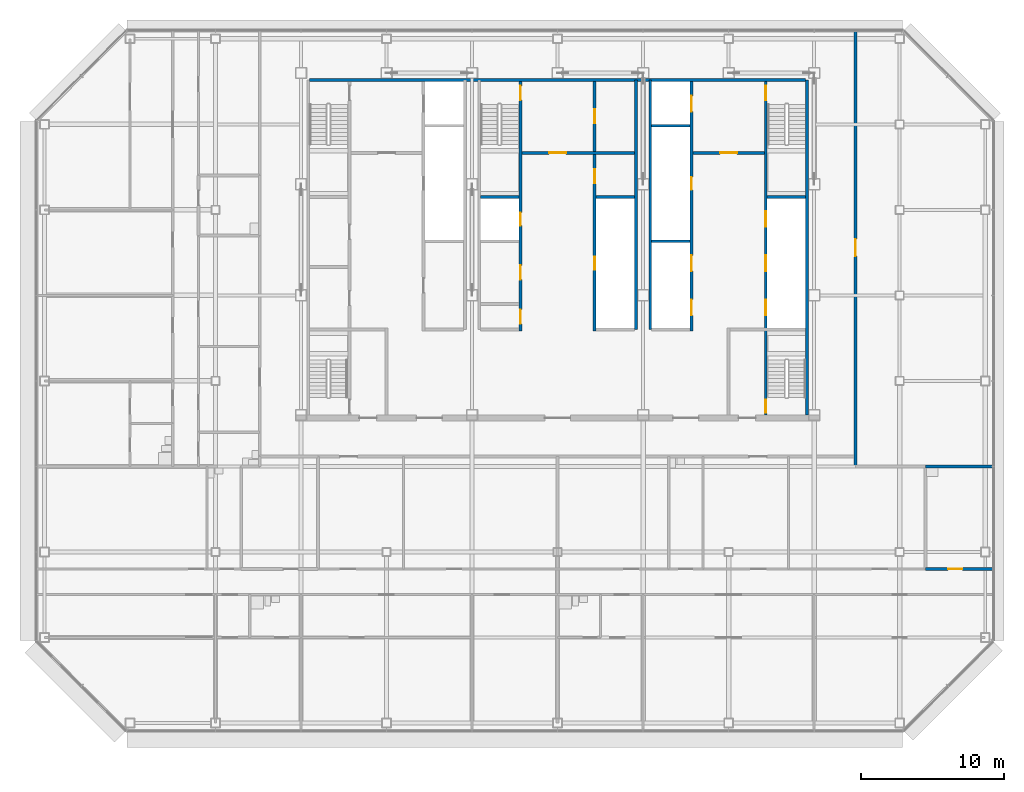
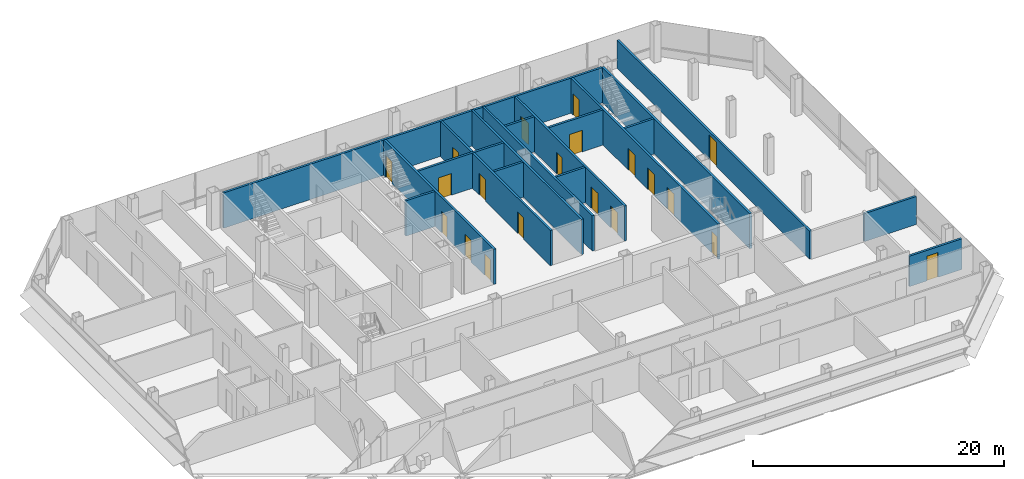
# One storey, part 23 of 26: 20 doors, 18 walls, 20 openings.
"""IFC4 building model written with IfcOpenShell, lengths in metres."""

from ifc_helpers import new_model, si_unit, direction, frame, frame_2d, origin, place, context, subcontext, project, spatial, rectangle, extrude, material, layer, layer_set, type_object, element, fill, save


model = new_model("IFC4")

# Units and contexts
model_context = context("Model", 3, precision=1e-05, world=origin(), true_north=direction((0.0, 1.0)))
body_context = subcontext(model_context, "Body", "Model", "MODEL_VIEW")
ifc_project = project(units=[si_unit("LENGTHUNIT", "METRE"), si_unit("AREAUNIT", "SQUARE_METRE"), si_unit("VOLUMEUNIT", "CUBIC_METRE"), si_unit("PLANEANGLEUNIT", "RADIAN"), si_unit("MASSUNIT", "GRAM", prefix="KILO")], contexts=[model_context])

# Site, building, storey
site_placement = place(None, origin())
site = spatial("IfcSite", under=ifc_project, at=site_placement, CompositionType="ELEMENT")
building_placement = place(site_placement, origin())
building = spatial("IfcBuilding", under=site, at=building_placement, Name="Sorahane Residences", CompositionType="ELEMENT")
storey_placement = place(building_placement, frame((0.0, 0.0, 219.0)))
storey = spatial("IfcBuildingStorey", under=building, at=storey_placement, Name="L51", CompositionType="ELEMENT", Elevation=219.0)

# Walls
ifc_material_1 = material(Name="Concrete C30", Category="concrete")
ifc_layer_1 = layer(ifc_material_1, 0.199951171875)
ifc_layer_set_1 = layer_set([ifc_layer_1], Name="Core face wall 200 EI 180")
wall_type_1 = type_object("IfcWallType", Name="Core face wall 200 EI 180", PredefinedType="SOLIDWALL", material=ifc_layer_set_1)
wall_1_placement = place(storey_placement, frame((41.5, 21.60009765625, 0.0), z_axis=(0.0, 0.0, 1.0), x_axis=(0.0, 1.0, 0.0)))
element("IfcWall", 1, at=wall_1_placement, inside=storey, type_object=wall_type_1, Name="L51 core face wall", PredefinedType="SOLIDWALL", context=body_context, shape_type="SweptSolid", body=[
    extrude(rectangle(XDim=23.5, YDim=0.199951171875, at=frame_2d((11.75, 0.0))), origin(), (0.0, 0.0, 1.0), 3.419921875),
])
wall_2_placement = place(storey_placement, frame((6.60009765625, 45.10009765625, 0.0), z_axis=(0.0, 0.0, 1.0), x_axis=(1.0, 0.0, 0.0)))
element("IfcWall", 2, at=wall_2_placement, inside=storey, type_object=wall_type_1, Name="L51 core face wall", PredefinedType="SOLIDWALL", context=body_context, shape_type="SweptSolid", body=[
    extrude(rectangle(XDim=34.7998046875, YDim=0.199951171875, at=frame_2d((17.39990234375, 0.0))), origin(), (0.0, 0.0, 1.0), 3.419921875),
])
for number, where, z_axis, x_axis, name in (
    (3, (29.5, 27.60009765625, 0.0), (0.0, 0.0, 1.0), (0.0, 1.0, 0.0), "L51 core face wall"),
    (4, (30.5, 27.60009765625, 0.0), (0.0, 0.0, 1.0), (0.0, 1.0, 0.0), "L51 core face wall"),
):
    element("IfcWall", number, at=place(storey_placement, frame(where, z_axis=z_axis, x_axis=x_axis)), inside=storey, type_object=wall_type_1, Name=name, PredefinedType="SOLIDWALL", context=body_context, shape_type="SweptSolid", body=[
        extrude(rectangle(XDim=17.5, YDim=0.199951171875, at=frame_2d((8.75, 0.0))), origin(), (0.0, 0.0, 1.0), 3.419921875),
    ])

# Wall, opening, door
ifc_material_2 = material(Name="Concrete blockwork C20 wall", Category="masonry")
ifc_layer_2 = layer(ifc_material_2, 0.199951171875)
ifc_layer_set_2 = layer_set([ifc_layer_2], Name="Corridor wall 200 EI 120")
wall_type_2 = type_object("IfcWallType", Name="Corridor wall 200 EI 120", PredefinedType="SOLIDWALL", material=ifc_layer_set_2)
wall_3_placement = place(storey_placement, frame((44.89990234375, 18.0, 0.0), z_axis=(0.0, 0.0, 1.0), x_axis=(0.0, 1.0, 0.0)))
wall_3 = element("IfcWall", 5, at=wall_3_placement, inside=storey, type_object=wall_type_2, Name="L51 corridor wall", PredefinedType="SOLIDWALL", context=body_context, shape_type="SweptSolid", body=[
    extrude(rectangle(XDim=30.60009765625, YDim=0.199951171875, at=frame_2d((15.300048828125, 0.0))), origin(), (0.0, 0.0, 1.0), 2.719970703125),
])
opening_1_placement = place(wall_3_placement, frame((14.75, 0.0, 0.0)))
opening_1 = element("IfcOpeningElement", 6, at=opening_1_placement, cuts=wall_3, Name="Opening L51-41", PredefinedType="OPENING", context=body_context, shape_type="SweptSolid", body=[
    extrude(rectangle(XDim=1.199951171875, YDim=2.39990234375, at=frame_2d((0.60009765625, 1.199951171875))), frame((0.0, 0.10986328125, 0.0), z_axis=(0.0, -1.0, 0.0), x_axis=(1.0, 0.0, 0.0)), (0.0, 0.0, 1.0), 0.219970703125),
])
ifc_material_3 = material(Name="Steel", Category="steel")
door_type_1 = type_object("IfcDoorType", Name="Lobby door 1200x2400 FD60", OperationType="NOTDEFINED", PredefinedType="DOOR", material=ifc_material_3)
door_1_placement = place(opening_1_placement, frame((1.199951171875, 0.0, 0.0), z_axis=(0.0, 0.0, 1.0), x_axis=(-1.0, 0.0, 0.0)))
door_1 = element("IfcDoor", 7, at=door_1_placement, inside=storey, type_object=door_type_1, Name="Lobby door L51-41", OperationType="SINGLE_SWING_RIGHT", OverallHeight=2.39990234375, OverallWidth=1.199951171875, PredefinedType="DOOR", context=body_context, shape_type="SweptSolid", body=[
    extrude(rectangle(XDim=1.199951171875, YDim=2.39990234375, at=frame_2d((0.60009765625, 1.199951171875))), frame((0.0, 0.02490234375, 0.0), z_axis=(0.0, -1.0, 0.0), x_axis=(1.0, 0.0, 0.0)), (0.0, 0.0, 1.0), 0.050048828125),
])
fill(opening_1, door_1)

ifc_material_4 = material(Name="Concrete C30", Category="concrete")
ifc_layer_3 = layer(ifc_material_4, 0.199951171875)
ifc_layer_set_3 = layer_set([ifc_layer_3], Name="Front room wall 200 EI 120")
wall_type_3 = type_object("IfcWallType", Name="Front room wall 200 EI 120", PredefinedType="PARTITIONING", material=ifc_layer_set_3)
wall_4_placement = place(storey_placement, frame((21.5, 40.0, 0.0), z_axis=(0.0, 0.0, 1.0), x_axis=(1.0, 0.0, 0.0)))
wall_4 = element("IfcWall", 8, at=wall_4_placement, inside=storey, type_object=wall_type_3, Name="L51 front room wall", PredefinedType="PARTITIONING", context=body_context, shape_type="SweptSolid", body=[
    extrude(rectangle(XDim=7.89990234375, YDim=0.199951171875, at=frame_2d((3.949951171875, 0.0))), origin(), (0.0, 0.0, 1.0), 3.419921875),
])
opening_2_placement = place(wall_4_placement, frame((1.89990234375, 0.0, 0.0)))
opening_2 = element("IfcOpeningElement", 9, at=opening_2_placement, cuts=wall_4, Name="Opening L51-C07", PredefinedType="OPENING", context=body_context, shape_type="SweptSolid", body=[
    extrude(rectangle(XDim=1.199951171875, YDim=2.10009765625, at=frame_2d((0.60009765625, 1.050048828125))), frame((0.0, 0.10986328125, 0.0), z_axis=(0.0, -1.0, 0.0), x_axis=(1.0, 0.0, 0.0)), (0.0, 0.0, 1.0), 0.219970703125),
])
ifc_material_5 = material(Name="Steel", Category="steel")
door_type_2 = type_object("IfcDoorType", Name="Front room door 1200x2100 FD120", OperationType="NOTDEFINED", PredefinedType="DOOR", material=ifc_material_5)
door_2_placement = place(opening_2_placement, frame((1.199951171875, 0.0, 0.0), z_axis=(0.0, 0.0, 1.0), x_axis=(-1.0, 0.0, 0.0)))
door_2 = element("IfcDoor", 10, at=door_2_placement, inside=storey, type_object=door_type_2, Name="Front room door Stair S3 vestibule L51", OperationType="DOUBLE_DOOR_SINGLE_SWING", OverallHeight=2.10009765625, OverallWidth=1.199951171875, PredefinedType="DOOR", context=body_context, shape_type="SweptSolid", body=[
    extrude(rectangle(XDim=1.199951171875, YDim=2.10009765625, at=frame_2d((0.60009765625, 1.050048828125))), frame((0.0, 0.02490234375, 0.0), z_axis=(0.0, -1.0, 0.0), x_axis=(1.0, 0.0, 0.0)), (0.0, 0.0, 1.0), 0.050048828125),
])
fill(opening_2, door_2)

wall_5_placement = place(storey_placement, frame((33.5, 40.0, 0.0), z_axis=(0.0, 0.0, 1.0), x_axis=(1.0, 0.0, 0.0)))
wall_5 = element("IfcWall", 11, at=wall_5_placement, inside=storey, type_object=wall_type_3, Name="L51 front room wall", PredefinedType="PARTITIONING", context=body_context, shape_type="SweptSolid", body=[
    extrude(rectangle(XDim=5.0, YDim=0.199951171875, at=frame_2d((2.5, 0.0))), origin(), (0.0, 0.0, 1.0), 3.419921875),
])
opening_3_placement = place(wall_5_placement, frame((1.89990234375, 0.0, 0.0)))
opening_3 = element("IfcOpeningElement", 12, at=opening_3_placement, cuts=wall_5, Name="Opening L51-C08", PredefinedType="OPENING", context=body_context, shape_type="SweptSolid", body=[
    extrude(rectangle(XDim=1.199951171875, YDim=2.10009765625, at=frame_2d((0.60009765625, 1.050048828125))), frame((0.0, 0.10986328125, 0.0), z_axis=(0.0, -1.0, 0.0), x_axis=(1.0, 0.0, 0.0)), (0.0, 0.0, 1.0), 0.219970703125),
])
door_3_placement = place(opening_3_placement, frame((1.199951171875, 0.0, 0.0), z_axis=(0.0, 0.0, 1.0), x_axis=(-1.0, 0.0, 0.0)))
door_3 = element("IfcDoor", 13, at=door_3_placement, inside=storey, type_object=door_type_2, Name="Front room door Firefighting lobby FF2 front room L51", OperationType="DOUBLE_DOOR_SINGLE_SWING", OverallHeight=2.10009765625, OverallWidth=1.199951171875, PredefinedType="DOOR", context=body_context, shape_type="SweptSolid", body=[
    extrude(rectangle(XDim=1.199951171875, YDim=2.10009765625, at=frame_2d((0.60009765625, 1.050048828125))), frame((0.0, 0.02490234375, 0.0), z_axis=(0.0, -1.0, 0.0), x_axis=(1.0, 0.0, 0.0)), (0.0, 0.0, 1.0), 0.050048828125),
])
fill(opening_3, door_3)

ifc_material_6 = material(Name="Concrete blockwork C20 wall", Category="masonry")
ifc_layer_4 = layer(ifc_material_6, 0.199951171875)
ifc_layer_set_4 = layer_set([ifc_layer_4], Name="Kitchen wall 200 EI 180")
wall_type_4 = type_object("IfcWallType", Name="Kitchen wall 200 EI 180", PredefinedType="SOLIDWALL", material=ifc_layer_set_4)
wall_6_placement = place(storey_placement, frame((49.800048828125, 10.800048828125, 0.0), z_axis=(0.0, 0.0, 1.0), x_axis=(1.0, 0.0, 0.0)))
wall_6 = element("IfcWall", 14, at=wall_6_placement, inside=storey, type_object=wall_type_4, Name="L51 kitchen wall", PredefinedType="SOLIDWALL", context=body_context, shape_type="SweptSolid", body=[
    extrude(rectangle(XDim=4.800048828125, YDim=0.199951171875, at=frame_2d((2.39990234375, 0.0))), origin(), (0.0, 0.0, 1.0), 2.969970703125),
])
opening_4_placement = place(wall_6_placement, frame((1.60009765625, 0.0, 0.0)))
opening_4 = element("IfcOpeningElement", 15, at=opening_4_placement, cuts=wall_6, Name="Opening L51-18", PredefinedType="OPENING", context=body_context, shape_type="SweptSolid", body=[
    extrude(rectangle(XDim=1.0, YDim=2.39990234375, at=frame_2d((0.5, 1.199951171875))), frame((0.0, 0.10986328125, 0.0), z_axis=(0.0, -1.0, 0.0), x_axis=(1.0, 0.0, 0.0)), (0.0, 0.0, 1.0), 0.219970703125),
])
ifc_material_7 = material(Name="Steel", Category="steel")
door_type_3 = type_object("IfcDoorType", Name="Kitchen door 1000x2400 FD120", OperationType="NOTDEFINED", PredefinedType="DOOR", material=ifc_material_7)
door_4_placement = place(opening_4_placement, origin())
door_4 = element("IfcDoor", 16, at=door_4_placement, inside=storey, type_object=door_type_3, Name="Kitchen door L51-18", OperationType="SINGLE_SWING_RIGHT", OverallHeight=2.39990234375, OverallWidth=1.0, PredefinedType="DOOR", context=body_context, shape_type="SweptSolid", body=[
    extrude(rectangle(XDim=1.0, YDim=2.39990234375, at=frame_2d((0.5, 1.199951171875))), frame((0.0, 0.02490234375, 0.0), z_axis=(0.0, -1.0, 0.0), x_axis=(1.0, 0.0, 0.0)), (0.0, 0.0, 1.0), 0.050048828125),
])
fill(opening_4, door_4)

# Wall
wall_7_placement = place(storey_placement, frame((49.800048828125, 18.0, 0.0), z_axis=(0.0, 0.0, 1.0), x_axis=(1.0, 0.0, 0.0)))
element("IfcWall", 17, at=wall_7_placement, inside=storey, type_object=wall_type_4, Name="L51 kitchen wall", PredefinedType="SOLIDWALL", context=body_context, shape_type="SweptSolid", body=[
    extrude(rectangle(XDim=4.800048828125, YDim=0.199951171875, at=frame_2d((2.39990234375, 0.0))), origin(), (0.0, 0.0, 1.0), 2.719970703125),
])

# Wall, openings, doors
ifc_material_8 = material(Name="Concrete C30", Category="concrete")
ifc_layer_5 = layer(ifc_material_8, 0.199951171875)
ifc_layer_set_5 = layer_set([ifc_layer_5], Name="Lift shaft wall 200 EI 120")
wall_type_5 = type_object("IfcWallType", Name="Lift shaft wall 200 EI 120", PredefinedType="SOLIDWALL", material=ifc_layer_set_5)
wall_8_placement = place(storey_placement, frame((33.39990234375, 27.5, 0.0), z_axis=(0.0, 0.0, 1.0), x_axis=(0.0, 1.0, 0.0)))
wall_8 = element("IfcWall", 18, at=wall_8_placement, inside=storey, type_object=wall_type_5, Name="L51 lift shaft wall", PredefinedType="SOLIDWALL", context=body_context, shape_type="SweptSolid", body=[
    extrude(rectangle(XDim=17.5, YDim=0.199951171875, at=frame_2d((8.75, 0.0))), origin(), (0.0, 0.0, 1.0), 3.419921875),
])
opening_5_placement = place(wall_8_placement, frame((1.10009765625, 0.0, 0.0)))
opening_5 = element("IfcOpeningElement", 19, at=opening_5_placement, cuts=wall_8, Name="Opening L51-C12", PredefinedType="OPENING", context=body_context, shape_type="SweptSolid", body=[
    extrude(rectangle(XDim=1.10009765625, YDim=2.10009765625, at=frame_2d((0.550048828125, 1.050048828125))), frame((0.0, 0.10986328125, 0.0), z_axis=(0.0, -1.0, 0.0), x_axis=(1.0, 0.0, 0.0)), (0.0, 0.0, 1.0), 0.219970703125),
])
opening_6_placement = place(wall_8_placement, frame((4.199951171875, 0.0, 0.0)))
opening_6 = element("IfcOpeningElement", 20, at=opening_6_placement, cuts=wall_8, Name="Opening L51-C13", PredefinedType="OPENING", context=body_context, shape_type="SweptSolid", body=[
    extrude(rectangle(XDim=1.10009765625, YDim=2.10009765625, at=frame_2d((0.550048828125, 1.050048828125))), frame((0.0, 0.10986328125, 0.0), z_axis=(0.0, -1.0, 0.0), x_axis=(1.0, 0.0, 0.0)), (0.0, 0.0, 1.0), 0.219970703125),
])
opening_7_placement = place(wall_8_placement, frame((15.39990234375, 0.0, 0.0)))
opening_7 = element("IfcOpeningElement", 21, at=opening_7_placement, cuts=wall_8, Name="Opening L51-C14", PredefinedType="OPENING", context=body_context, shape_type="SweptSolid", body=[
    extrude(rectangle(XDim=1.10009765625, YDim=2.10009765625, at=frame_2d((0.550048828125, 1.050048828125))), frame((0.0, 0.10986328125, 0.0), z_axis=(0.0, -1.0, 0.0), x_axis=(1.0, 0.0, 0.0)), (0.0, 0.0, 1.0), 0.219970703125),
])
opening_8_placement = place(wall_8_placement, frame((9.89990234375, 0.0, 0.0)))
opening_8 = element("IfcOpeningElement", 22, at=opening_8_placement, cuts=wall_8, Name="Opening L51-C27", PredefinedType="OPENING", context=body_context, shape_type="SweptSolid", body=[
    extrude(rectangle(XDim=0.89990234375, YDim=2.10009765625, at=frame_2d((0.449951171875, 1.050048828125))), frame((0.0, 0.10986328125, 0.0), z_axis=(0.0, -1.0, 0.0), x_axis=(1.0, 0.0, 0.0)), (0.0, 0.0, 1.0), 0.219970703125),
])
ifc_material_9 = material(Name="Aluminium and stainless steel", Category="steel")
door_type_4 = type_object("IfcDoorType", Name="Lift landing door 1100x2100 E 60", OperationType="NOTDEFINED", PredefinedType="DOOR", material=ifc_material_9)
door_5_placement = place(opening_5_placement, origin())
door_5 = element("IfcDoor", 23, at=door_5_placement, inside=storey, type_object=door_type_4, Name="Lift landing door HR4 L51", OperationType="DOUBLE_DOOR_SLIDING", OverallHeight=2.10009765625, OverallWidth=1.10009765625, PredefinedType="DOOR", context=body_context, shape_type="SweptSolid", body=[
    extrude(rectangle(XDim=1.10009765625, YDim=2.10009765625, at=frame_2d((0.550048828125, 1.050048828125))), frame((0.0, 0.02490234375, 0.0), z_axis=(0.0, -1.0, 0.0), x_axis=(1.0, 0.0, 0.0)), (0.0, 0.0, 1.0), 0.050048828125),
])
fill(opening_5, door_5)
door_6_placement = place(opening_6_placement, origin())
door_6 = element("IfcDoor", 24, at=door_6_placement, inside=storey, type_object=door_type_4, Name="Lift landing door HR5 L51", OperationType="DOUBLE_DOOR_SLIDING", OverallHeight=2.10009765625, OverallWidth=1.10009765625, PredefinedType="DOOR", context=body_context, shape_type="SweptSolid", body=[
    extrude(rectangle(XDim=1.10009765625, YDim=2.10009765625, at=frame_2d((0.550048828125, 1.050048828125))), frame((0.0, 0.02490234375, 0.0), z_axis=(0.0, -1.0, 0.0), x_axis=(1.0, 0.0, 0.0)), (0.0, 0.0, 1.0), 0.050048828125),
])
fill(opening_6, door_6)
door_7_placement = place(opening_7_placement, origin())
door_7 = element("IfcDoor", 25, at=door_7_placement, inside=storey, type_object=door_type_4, Name="Lift landing door FF2 L51", OperationType="DOUBLE_DOOR_SLIDING", OverallHeight=2.10009765625, OverallWidth=1.10009765625, PredefinedType="DOOR", context=body_context, shape_type="SweptSolid", body=[
    extrude(rectangle(XDim=1.10009765625, YDim=2.10009765625, at=frame_2d((0.550048828125, 1.050048828125))), frame((0.0, 0.02490234375, 0.0), z_axis=(0.0, -1.0, 0.0), x_axis=(1.0, 0.0, 0.0)), (0.0, 0.0, 1.0), 0.050048828125),
])
fill(opening_7, door_7)
ifc_material_10 = material(Name="Steel", Category="steel")
door_type_5 = type_object("IfcDoorType", Name="Riser door 900x2100 FD120", OperationType="NOTDEFINED", PredefinedType="DOOR", material=ifc_material_10)
door_8_placement = place(opening_8_placement, frame((0.89990234375, 0.0, 0.0), z_axis=(0.0, 0.0, 1.0), x_axis=(-1.0, 0.0, 0.0)))
door_8 = element("IfcDoor", 26, at=door_8_placement, inside=storey, type_object=door_type_5, Name="Riser door R2 L51", OperationType="SINGLE_SWING_LEFT", OverallHeight=2.10009765625, OverallWidth=0.89990234375, PredefinedType="DOOR", context=body_context, shape_type="SweptSolid", body=[
    extrude(rectangle(XDim=0.89990234375, YDim=2.10009765625, at=frame_2d((0.449951171875, 1.050048828125))), frame((0.0, 0.02490234375, 0.0), z_axis=(0.0, -1.0, 0.0), x_axis=(1.0, 0.0, 0.0)), (0.0, 0.0, 1.0), 0.050048828125),
])
fill(opening_8, door_8)

# Walls
for number, where, z_axis, x_axis, name in (
    (27, (30.60009765625, 33.800048828125, 0.0), (0.0, 0.0, 1.0), (1.0, 0.0, 0.0), "L51 lift shaft wall"),
    (28, (30.60009765625, 41.89990234375, 0.0), (0.0, 0.0, 1.0), (1.0, 0.0, 0.0), "L51 lift shaft wall"),
):
    element("IfcWall", number, at=place(storey_placement, frame(where, z_axis=z_axis, x_axis=x_axis)), inside=storey, type_object=wall_type_5, Name=name, PredefinedType="SOLIDWALL", context=body_context, shape_type="SweptSolid", body=[
        extrude(rectangle(XDim=2.699951171875, YDim=0.199951171875, at=frame_2d((1.35009765625, 0.0))), origin(), (0.0, 0.0, 1.0), 3.419921875),
    ])

# Wall, openings, doors
ifc_material_11 = material(Name="Concrete C30", Category="concrete")
ifc_layer_6 = layer(ifc_material_11, 0.199951171875)
ifc_layer_set_6 = layer_set([ifc_layer_6], Name="Riser shaft wall 200 EI 120")
wall_type_6 = type_object("IfcWallType", Name="Riser shaft wall 200 EI 120", PredefinedType="SOLIDWALL", material=ifc_layer_set_6)
wall_9_placement = place(storey_placement, frame((26.60009765625, 27.5, 0.0), z_axis=(0.0, 0.0, 1.0), x_axis=(0.0, 1.0, 0.0)))
wall_9 = element("IfcWall", 29, at=wall_9_placement, inside=storey, type_object=wall_type_6, Name="L51 riser wall", PredefinedType="SOLIDWALL", context=body_context, shape_type="SweptSolid", body=[
    extrude(rectangle(XDim=17.5, YDim=0.199951171875, at=frame_2d((8.75, 0.0))), origin(), (0.0, 0.0, 1.0), 3.419921875),
])
opening_9_placement = place(wall_9_placement, frame((4.300048828125, 0.0, 0.0)))
opening_9 = element("IfcOpeningElement", 30, at=opening_9_placement, cuts=wall_9, Name="Opening L51-C29", PredefinedType="OPENING", context=body_context, shape_type="SweptSolid", body=[
    extrude(rectangle(XDim=0.89990234375, YDim=2.10009765625, at=frame_2d((0.449951171875, 1.050048828125))), frame((0.0, 0.10986328125, 0.0), z_axis=(0.0, -1.0, 0.0), x_axis=(1.0, 0.0, 0.0)), (0.0, 0.0, 1.0), 0.219970703125),
])
opening_10_placement = place(wall_9_placement, frame((10.35009765625, 0.0, 0.0)))
opening_10 = element("IfcOpeningElement", 31, at=opening_10_placement, cuts=wall_9, Name="Opening L51-C30", PredefinedType="OPENING", context=body_context, shape_type="SweptSolid", body=[
    extrude(rectangle(XDim=1.0, YDim=2.10009765625, at=frame_2d((0.5, 1.050048828125))), frame((0.0, 0.10986328125, 0.0), z_axis=(0.0, -1.0, 0.0), x_axis=(1.0, 0.0, 0.0)), (0.0, 0.0, 1.0), 0.219970703125),
])
opening_11_placement = place(wall_9_placement, frame((14.574951171875, 0.0, 0.0)))
opening_11 = element("IfcOpeningElement", 32, at=opening_11_placement, cuts=wall_9, Name="Opening L51-C31", PredefinedType="OPENING", context=body_context, shape_type="SweptSolid", body=[
    extrude(rectangle(XDim=1.0, YDim=2.10009765625, at=frame_2d((0.5, 1.050048828125))), frame((0.0, 0.10986328125, 0.0), z_axis=(0.0, -1.0, 0.0), x_axis=(1.0, 0.0, 0.0)), (0.0, 0.0, 1.0), 0.219970703125),
])
door_9_placement = place(opening_9_placement, origin())
door_9 = element("IfcDoor", 33, at=door_9_placement, inside=storey, type_object=door_type_5, Name="Riser door R4 L51", OperationType="SINGLE_SWING_LEFT", OverallHeight=2.10009765625, OverallWidth=0.89990234375, PredefinedType="DOOR", context=body_context, shape_type="SweptSolid", body=[
    extrude(rectangle(XDim=0.89990234375, YDim=2.10009765625, at=frame_2d((0.449951171875, 1.050048828125))), frame((0.0, 0.02490234375, 0.0), z_axis=(0.0, -1.0, 0.0), x_axis=(1.0, 0.0, 0.0)), (0.0, 0.0, 1.0), 0.050048828125),
])
fill(opening_9, door_9)
ifc_material_12 = material(Name="Steel", Category="steel")
door_type_6 = type_object("IfcDoorType", Name="Service room door 1000x2100 FD60", OperationType="NOTDEFINED", PredefinedType="DOOR", material=ifc_material_12)
door_10_placement = place(opening_10_placement, frame((1.0, 0.0, 0.0), z_axis=(0.0, 0.0, 1.0), x_axis=(-1.0, 0.0, 0.0)))
door_10 = element("IfcDoor", 34, at=door_10_placement, inside=storey, type_object=door_type_6, Name="Service room door Linen room L51", OperationType="SINGLE_SWING_LEFT", OverallHeight=2.10009765625, OverallWidth=1.0, PredefinedType="DOOR", context=body_context, shape_type="SweptSolid", body=[
    extrude(rectangle(XDim=1.0, YDim=2.10009765625, at=frame_2d((0.5, 1.050048828125))), frame((0.0, 0.02490234375, 0.0), z_axis=(0.0, -1.0, 0.0), x_axis=(1.0, 0.0, 0.0)), (0.0, 0.0, 1.0), 0.050048828125),
])
fill(opening_10, door_10)
door_11_placement = place(opening_11_placement, frame((1.0, 0.0, 0.0), z_axis=(0.0, 0.0, 1.0), x_axis=(-1.0, 0.0, 0.0)))
door_11 = element("IfcDoor", 35, at=door_11_placement, inside=storey, type_object=door_type_6, Name="Service room door Cleaners' store L51", OperationType="SINGLE_SWING_LEFT", OverallHeight=2.10009765625, OverallWidth=1.0, PredefinedType="DOOR", context=body_context, shape_type="SweptSolid", body=[
    extrude(rectangle(XDim=1.0, YDim=2.10009765625, at=frame_2d((0.5, 1.050048828125))), frame((0.0, 0.02490234375, 0.0), z_axis=(0.0, -1.0, 0.0), x_axis=(1.0, 0.0, 0.0)), (0.0, 0.0, 1.0), 0.050048828125),
])
fill(opening_11, door_11)

# Wall
wall_10_placement = place(storey_placement, frame((26.699951171875, 36.89990234375, 0.0), z_axis=(0.0, 0.0, 1.0), x_axis=(1.0, 0.0, 0.0)))
element("IfcWall", 36, at=wall_10_placement, inside=storey, type_object=wall_type_6, Name="L51 riser wall", PredefinedType="SOLIDWALL", context=body_context, shape_type="SweptSolid", body=[
    extrude(rectangle(XDim=2.699951171875, YDim=0.199951171875, at=frame_2d((1.35009765625, 0.0))), origin(), (0.0, 0.0, 1.0), 3.419921875),
])

# Wall, openings, doors
ifc_material_13 = material(Name="Concrete C30", Category="concrete")
ifc_layer_7 = layer(ifc_material_13, 0.199951171875)
ifc_layer_set_7 = layer_set([ifc_layer_7], Name="Stair enclosure wall 200 EI 120")
wall_type_7 = type_object("IfcWallType", Name="Stair enclosure wall 200 EI 120", PredefinedType="SOLIDWALL", material=ifc_layer_set_7)
wall_11_placement = place(storey_placement, frame((21.39990234375, 27.5, 0.0), z_axis=(0.0, 0.0, 1.0), x_axis=(0.0, 1.0, 0.0)))
wall_11 = element("IfcWall", 37, at=wall_11_placement, inside=storey, type_object=wall_type_7, Name="L51 stair enclosure wall", PredefinedType="SOLIDWALL", context=body_context, shape_type="SweptSolid", body=[
    extrude(rectangle(XDim=17.5, YDim=0.199951171875, at=frame_2d((8.75, 0.0))), origin(), (0.0, 0.0, 1.0), 3.419921875),
])
opening_12_placement = place(wall_11_placement, frame((0.5, 0.0, 0.0)))
opening_12 = element("IfcOpeningElement", 38, at=opening_12_placement, cuts=wall_11, Name="Opening L51-C16", PredefinedType="OPENING", context=body_context, shape_type="SweptSolid", body=[
    extrude(rectangle(XDim=1.0, YDim=2.10009765625, at=frame_2d((0.5, 1.050048828125))), frame((0.0, 0.10986328125, 0.0), z_axis=(0.0, -1.0, 0.0), x_axis=(1.0, 0.0, 0.0)), (0.0, 0.0, 1.0), 0.219970703125),
])
opening_13_placement = place(wall_11_placement, frame((3.60009765625, 0.0, 0.0)))
opening_13 = element("IfcOpeningElement", 39, at=opening_13_placement, cuts=wall_11, Name="Opening L51-C17", PredefinedType="OPENING", context=body_context, shape_type="SweptSolid", body=[
    extrude(rectangle(XDim=1.0, YDim=2.10009765625, at=frame_2d((0.5, 1.050048828125))), frame((0.0, 0.10986328125, 0.0), z_axis=(0.0, -1.0, 0.0), x_axis=(1.0, 0.0, 0.0)), (0.0, 0.0, 1.0), 0.219970703125),
])
opening_14_placement = place(wall_11_placement, frame((16.199951171875, 0.0, 0.0)))
opening_14 = element("IfcOpeningElement", 40, at=opening_14_placement, cuts=wall_11, Name="Opening L51-C23", PredefinedType="OPENING", context=body_context, shape_type="SweptSolid", body=[
    extrude(rectangle(XDim=1.0, YDim=2.10009765625, at=frame_2d((0.5, 1.050048828125))), frame((0.0, 0.10986328125, 0.0), z_axis=(0.0, -1.0, 0.0), x_axis=(1.0, 0.0, 0.0)), (0.0, 0.0, 1.0), 0.219970703125),
])
opening_15_placement = place(wall_11_placement, frame((7.39990234375, 0.0, 0.0)))
opening_15 = element("IfcOpeningElement", 41, at=opening_15_placement, cuts=wall_11, Name="Opening L51-C28", PredefinedType="OPENING", context=body_context, shape_type="SweptSolid", body=[
    extrude(rectangle(XDim=0.89990234375, YDim=2.10009765625, at=frame_2d((0.449951171875, 1.050048828125))), frame((0.0, 0.10986328125, 0.0), z_axis=(0.0, -1.0, 0.0), x_axis=(1.0, 0.0, 0.0)), (0.0, 0.0, 1.0), 0.219970703125),
])
door_12_placement = place(opening_15_placement, frame((0.89990234375, 0.0, 0.0), z_axis=(0.0, 0.0, 1.0), x_axis=(-1.0, 0.0, 0.0)))
door_12 = element("IfcDoor", 42, at=door_12_placement, inside=storey, type_object=door_type_5, Name="Riser door R3 L51", OperationType="SINGLE_SWING_LEFT", OverallHeight=2.10009765625, OverallWidth=0.89990234375, PredefinedType="DOOR", context=body_context, shape_type="SweptSolid", body=[
    extrude(rectangle(XDim=0.89990234375, YDim=2.10009765625, at=frame_2d((0.449951171875, 1.050048828125))), frame((0.0, 0.02490234375, 0.0), z_axis=(0.0, -1.0, 0.0), x_axis=(1.0, 0.0, 0.0)), (0.0, 0.0, 1.0), 0.050048828125),
])
fill(opening_15, door_12)
door_13_placement = place(opening_12_placement, origin())
door_13 = element("IfcDoor", 43, at=door_13_placement, inside=storey, type_object=door_type_6, Name="Service room door Linen store L51", OperationType="SINGLE_SWING_RIGHT", OverallHeight=2.10009765625, OverallWidth=1.0, PredefinedType="DOOR", context=body_context, shape_type="SweptSolid", body=[
    extrude(rectangle(XDim=1.0, YDim=2.10009765625, at=frame_2d((0.5, 1.050048828125))), frame((0.0, 0.02490234375, 0.0), z_axis=(0.0, -1.0, 0.0), x_axis=(1.0, 0.0, 0.0)), (0.0, 0.0, 1.0), 0.050048828125),
])
fill(opening_12, door_13)
door_14_placement = place(opening_13_placement, origin())
door_14 = element("IfcDoor", 44, at=door_14_placement, inside=storey, type_object=door_type_6, Name="Service room door Study L51", OperationType="SINGLE_SWING_LEFT", OverallHeight=2.10009765625, OverallWidth=1.0, PredefinedType="DOOR", context=body_context, shape_type="SweptSolid", body=[
    extrude(rectangle(XDim=1.0, YDim=2.10009765625, at=frame_2d((0.5, 1.050048828125))), frame((0.0, 0.02490234375, 0.0), z_axis=(0.0, -1.0, 0.0), x_axis=(1.0, 0.0, 0.0)), (0.0, 0.0, 1.0), 0.050048828125),
])
fill(opening_13, door_14)
ifc_material_14 = material(Name="Steel", Category="steel")
door_type_7 = type_object("IfcDoorType", Name="Stair door 1000x2100 FD120", OperationType="NOTDEFINED", PredefinedType="DOOR", material=ifc_material_14)
door_15_placement = place(opening_14_placement, origin())
door_15 = element("IfcDoor", 45, at=door_15_placement, inside=storey, type_object=door_type_7, Name="Stair door S3 L51", OperationType="SINGLE_SWING_LEFT", OverallHeight=2.10009765625, OverallWidth=1.0, PredefinedType="DOOR", context=body_context, shape_type="SweptSolid", body=[
    extrude(rectangle(XDim=1.0, YDim=2.10009765625, at=frame_2d((0.5, 1.050048828125))), frame((0.0, 0.02490234375, 0.0), z_axis=(0.0, -1.0, 0.0), x_axis=(1.0, 0.0, 0.0)), (0.0, 0.0, 1.0), 0.050048828125),
])
fill(opening_14, door_15)

wall_12_placement = place(storey_placement, frame((38.60009765625, 21.60009765625, 0.0), z_axis=(0.0, 0.0, 1.0), x_axis=(0.0, 1.0, 0.0)))
wall_12 = element("IfcWall", 46, at=wall_12_placement, inside=storey, type_object=wall_type_7, Name="L51 stair enclosure wall", PredefinedType="SOLIDWALL", context=body_context, shape_type="SweptSolid", body=[
    extrude(rectangle(XDim=23.39990234375, YDim=0.199951171875, at=frame_2d((11.699951171875, 0.0))), origin(), (0.0, 0.0, 1.0), 3.419921875),
])
opening_16_placement = place(wall_12_placement, frame((7.0, 0.0, 0.0)))
opening_16 = element("IfcOpeningElement", 47, at=opening_16_placement, cuts=wall_12, Name="Opening L51-C09", PredefinedType="OPENING", context=body_context, shape_type="SweptSolid", body=[
    extrude(rectangle(XDim=1.10009765625, YDim=2.10009765625, at=frame_2d((0.550048828125, 1.050048828125))), frame((0.0, 0.10986328125, 0.0), z_axis=(0.0, -1.0, 0.0), x_axis=(1.0, 0.0, 0.0)), (0.0, 0.0, 1.0), 0.219970703125),
])
opening_17_placement = place(wall_12_placement, frame((10.10009765625, 0.0, 0.0)))
opening_17 = element("IfcOpeningElement", 48, at=opening_17_placement, cuts=wall_12, Name="Opening L51-C10", PredefinedType="OPENING", context=body_context, shape_type="SweptSolid", body=[
    extrude(rectangle(XDim=1.10009765625, YDim=2.10009765625, at=frame_2d((0.550048828125, 1.050048828125))), frame((0.0, 0.10986328125, 0.0), z_axis=(0.0, -1.0, 0.0), x_axis=(1.0, 0.0, 0.0)), (0.0, 0.0, 1.0), 0.219970703125),
])
opening_18_placement = place(wall_12_placement, frame((13.199951171875, 0.0, 0.0)))
opening_18 = element("IfcOpeningElement", 49, at=opening_18_placement, cuts=wall_12, Name="Opening L51-C11", PredefinedType="OPENING", context=body_context, shape_type="SweptSolid", body=[
    extrude(rectangle(XDim=1.10009765625, YDim=2.10009765625, at=frame_2d((0.550048828125, 1.050048828125))), frame((0.0, 0.10986328125, 0.0), z_axis=(0.0, -1.0, 0.0), x_axis=(1.0, 0.0, 0.0)), (0.0, 0.0, 1.0), 0.219970703125),
])
opening_19_placement = place(wall_12_placement, frame((22.10009765625, 0.0, 0.0)))
opening_19 = element("IfcOpeningElement", 50, at=opening_19_placement, cuts=wall_12, Name="Opening L51-C22", PredefinedType="OPENING", context=body_context, shape_type="SweptSolid", body=[
    extrude(rectangle(XDim=1.0, YDim=2.10009765625, at=frame_2d((0.5, 1.050048828125))), frame((0.0, 0.10986328125, 0.0), z_axis=(0.0, -1.0, 0.0), x_axis=(1.0, 0.0, 0.0)), (0.0, 0.0, 1.0), 0.219970703125),
])
opening_20_placement = place(wall_12_placement, frame((0.175048828125, 0.0, 0.0)))
opening_20 = element("IfcOpeningElement", 51, at=opening_20_placement, cuts=wall_12, Name="Opening L51-C25", PredefinedType="OPENING", context=body_context, shape_type="SweptSolid", body=[
    extrude(rectangle(XDim=0.89990234375, YDim=2.10009765625, at=frame_2d((0.449951171875, 1.050048828125))), frame((0.0, 0.10986328125, 0.0), z_axis=(0.0, -1.0, 0.0), x_axis=(1.0, 0.0, 0.0)), (0.0, 0.0, 1.0), 0.219970703125),
])
door_16_placement = place(opening_16_placement, origin())
door_16 = element("IfcDoor", 52, at=door_16_placement, inside=storey, type_object=door_type_4, Name="Lift landing door HR1 L51", OperationType="DOUBLE_DOOR_SLIDING", OverallHeight=2.10009765625, OverallWidth=1.10009765625, PredefinedType="DOOR", context=body_context, shape_type="SweptSolid", body=[
    extrude(rectangle(XDim=1.10009765625, YDim=2.10009765625, at=frame_2d((0.550048828125, 1.050048828125))), frame((0.0, 0.02490234375, 0.0), z_axis=(0.0, -1.0, 0.0), x_axis=(1.0, 0.0, 0.0)), (0.0, 0.0, 1.0), 0.050048828125),
])
fill(opening_16, door_16)
door_17_placement = place(opening_17_placement, origin())
door_17 = element("IfcDoor", 53, at=door_17_placement, inside=storey, type_object=door_type_4, Name="Lift landing door HR2 L51", OperationType="DOUBLE_DOOR_SLIDING", OverallHeight=2.10009765625, OverallWidth=1.10009765625, PredefinedType="DOOR", context=body_context, shape_type="SweptSolid", body=[
    extrude(rectangle(XDim=1.10009765625, YDim=2.10009765625, at=frame_2d((0.550048828125, 1.050048828125))), frame((0.0, 0.02490234375, 0.0), z_axis=(0.0, -1.0, 0.0), x_axis=(1.0, 0.0, 0.0)), (0.0, 0.0, 1.0), 0.050048828125),
])
fill(opening_17, door_17)
door_18_placement = place(opening_18_placement, origin())
door_18 = element("IfcDoor", 54, at=door_18_placement, inside=storey, type_object=door_type_4, Name="Lift landing door HR3 L51", OperationType="DOUBLE_DOOR_SLIDING", OverallHeight=2.10009765625, OverallWidth=1.10009765625, PredefinedType="DOOR", context=body_context, shape_type="SweptSolid", body=[
    extrude(rectangle(XDim=1.10009765625, YDim=2.10009765625, at=frame_2d((0.550048828125, 1.050048828125))), frame((0.0, 0.02490234375, 0.0), z_axis=(0.0, -1.0, 0.0), x_axis=(1.0, 0.0, 0.0)), (0.0, 0.0, 1.0), 0.050048828125),
])
fill(opening_18, door_18)
door_19_placement = place(opening_19_placement, frame((1.0, 0.0, 0.0), z_axis=(0.0, 0.0, 1.0), x_axis=(-1.0, 0.0, 0.0)))
door_19 = element("IfcDoor", 55, at=door_19_placement, inside=storey, type_object=door_type_7, Name="Stair door S2 L51", OperationType="SINGLE_SWING_LEFT", OverallHeight=2.10009765625, OverallWidth=1.0, PredefinedType="DOOR", context=body_context, shape_type="SweptSolid", body=[
    extrude(rectangle(XDim=1.0, YDim=2.10009765625, at=frame_2d((0.5, 1.050048828125))), frame((0.0, 0.02490234375, 0.0), z_axis=(0.0, -1.0, 0.0), x_axis=(1.0, 0.0, 0.0)), (0.0, 0.0, 1.0), 0.050048828125),
])
fill(opening_19, door_19)
ifc_material_15 = material(Name="Steel", Category="steel")
door_type_8 = type_object("IfcDoorType", Name="Stair door 900x2100 FD120", OperationType="NOTDEFINED", PredefinedType="DOOR", material=ifc_material_15)
door_20_placement = place(opening_20_placement, frame((0.89990234375, 0.0, 0.0), z_axis=(0.0, 0.0, 1.0), x_axis=(-1.0, 0.0, 0.0)))
door_20 = element("IfcDoor", 56, at=door_20_placement, inside=storey, type_object=door_type_8, Name="Stair door S5 L51", OperationType="SINGLE_SWING_LEFT", OverallHeight=2.10009765625, OverallWidth=0.89990234375, PredefinedType="DOOR", context=body_context, shape_type="SweptSolid", body=[
    extrude(rectangle(XDim=0.89990234375, YDim=2.10009765625, at=frame_2d((0.449951171875, 1.050048828125))), frame((0.0, 0.02490234375, 0.0), z_axis=(0.0, -1.0, 0.0), x_axis=(1.0, 0.0, 0.0)), (0.0, 0.0, 1.0), 0.050048828125),
])
fill(opening_20, door_20)

# Walls
for number, where, z_axis, x_axis, name in (
    (57, (18.60009765625, 36.89990234375, 0.0), (0.0, 0.0, 1.0), (1.0, 0.0, 0.0), "L51 stair enclosure wall"),
    (58, (38.699951171875, 36.89990234375, 0.0), (0.0, 0.0, 1.0), (1.0, 0.0, 0.0), "L51 stair enclosure wall"),
):
    element("IfcWall", number, at=place(storey_placement, frame(where, z_axis=z_axis, x_axis=x_axis)), inside=storey, type_object=wall_type_7, Name=name, PredefinedType="SOLIDWALL", context=body_context, shape_type="SweptSolid", body=[
        extrude(rectangle(XDim=2.699951171875, YDim=0.199951171875, at=frame_2d((1.35009765625, 0.0))), origin(), (0.0, 0.0, 1.0), 3.419921875),
    ])

save(model, "model.ifc")
